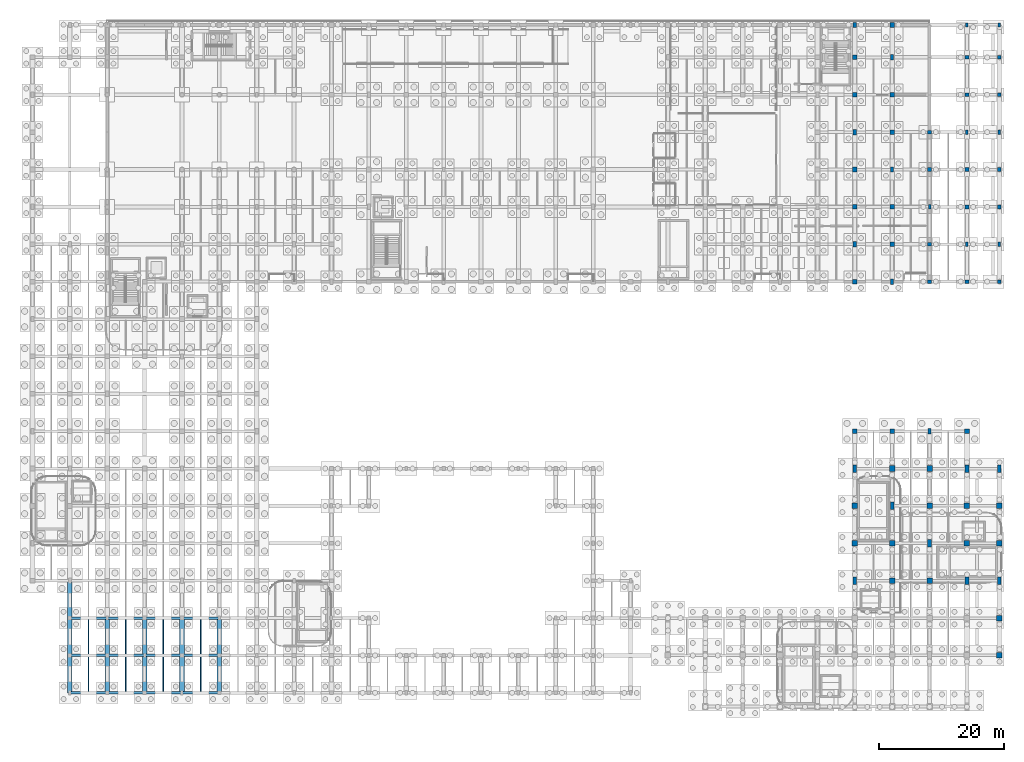
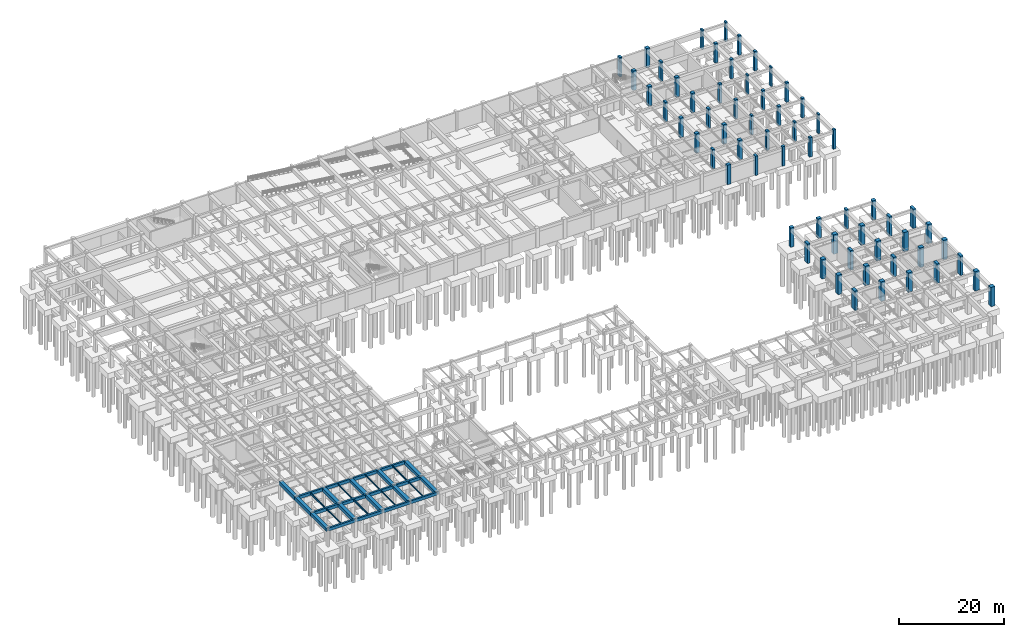
# One storey, part 12 of 32: 63 columns, 31 beams.
"""IFC4 building model written with IfcOpenShell, lengths in metres."""

from ifc_helpers import new_model, si_unit, direction, frame, origin, origin_2d, place, context, subcontext, project, spatial, rectangle, i_section, extrude, material, material_profile, profile_set, type_object, element, save


model = new_model("IFC4")

# Units and contexts
model_context = context("Model", 3, precision=1e-05, world=origin(), true_north=direction((0.0, 1.0)))
body_context = subcontext(model_context, "Body", "Model", "MODEL_VIEW")
ifc_project = project(units=[si_unit("LENGTHUNIT", "METRE"), si_unit("AREAUNIT", "SQUARE_METRE"), si_unit("VOLUMEUNIT", "CUBIC_METRE"), si_unit("PLANEANGLEUNIT", "RADIAN"), si_unit("MASSUNIT", "GRAM", prefix="KILO")], contexts=[model_context])

# Site, building, storey
site_placement = place(None, origin())
site = spatial("IfcSite", under=ifc_project, at=site_placement, CompositionType="ELEMENT")
building_placement = place(site_placement, origin())
building = spatial("IfcBuilding", under=site, at=building_placement, Name="Varnakota Square Police Headquarters", CompositionType="ELEMENT")
storey_placement = place(building_placement, frame((0.0, 0.0, -4.5)))
storey = spatial("IfcBuildingStorey", under=building, at=storey_placement, Name="B1", CompositionType="ELEMENT", Elevation=-4.5)

# Columns
ifc_material_1 = material(Name="Concrete M40", Category="concrete")
ifc_material_profile_1 = material_profile(ifc_material_1, rectangle(XDim=0.39990234375, YDim=0.699951171875, at=origin_2d()), Name="RC 400x700")
ifc_profile_set_1 = profile_set([ifc_material_profile_1], Name="Concrete M40")
column_type_1 = type_object("IfcColumnType", Name="COL-RC400x700", PredefinedType="COLUMN", material=ifc_profile_set_1)
for number, where, z_axis, x_axis, name in (
    (1, (150.0, 81.0, 0.0), (0.0, 0.0, 1.0), (1.0, 0.0, 0.0), "Column X1500-Y0810 B1"),
    (2, (156.0, 75.0, 0.0), (0.0, 0.0, 1.0), (1.0, 0.0, 0.0), "Column X1560-Y0750 B1"),
    (3, (156.0, 93.0, 0.0), (0.0, 0.0, 1.0), (1.0, 0.0, 0.0), "Column X1560-Y0930 B1"),
    (4, (156.0, 110.199951171875, 0.0), (0.0, 0.0, 1.0), (1.0, 0.0, 0.0), "Column X1560-Y1102 B1"),
    (5, (161.199951171875, 75.0, 0.0), (0.0, 0.0, 1.0), (1.0, 0.0, 0.0), "Column X1612-Y0750 B1"),
    (6, (161.199951171875, 93.0, 0.0), (0.0, 0.0, 1.0), (1.0, 0.0, 0.0), "Column X1612-Y0930 B1"),
    (7, (161.199951171875, 110.199951171875, 0.0), (0.0, 0.0, 1.0), (1.0, 0.0, 0.0), "Column X1612-Y1102 B1"),
):
    element("IfcColumn", number, at=place(storey_placement, frame(where, z_axis=z_axis, x_axis=x_axis)), inside=storey, type_object=column_type_1, Name=name, PredefinedType="COLUMN", context=body_context, shape_type="SweptSolid", body=[
        extrude(rectangle(XDim=0.39990234375, YDim=0.699951171875, at=origin_2d()), origin(), (0.0, 0.0, 1.0), 4.5),
    ])
ifc_material_2 = material(Name="Concrete M50", Category="concrete")
ifc_material_profile_2 = material_profile(ifc_material_2, rectangle(XDim=0.5, YDim=0.85009765625, at=origin_2d()), Name="RC 500x850")
ifc_profile_set_2 = profile_set([ifc_material_profile_2], Name="Concrete M50")
column_type_2 = type_object("IfcColumnType", Name="COL-RC500x850", PredefinedType="COLUMN", material=ifc_profile_set_2)
for number, where, z_axis, x_axis, name in (
    (8, (138.0, 75.0, 0.0), (0.0, 0.0, 1.0), (1.0, 0.0, 0.0), "Column X1380-Y0750 B1"),
    (9, (138.0, 93.0, 0.0), (0.0, 0.0, 1.0), (1.0, 0.0, 0.0), "Column X1380-Y0930 B1"),
    (10, (138.0, 110.199951171875, 0.0), (0.0, 0.0, 1.0), (1.0, 0.0, 0.0), "Column X1380-Y1102 B1"),
    (11, (144.0, 69.0, 0.0), (0.0, 0.0, 1.0), (1.0, 0.0, 0.0), "Column X1440-Y0690 B1"),
    (12, (144.0, 87.0, 0.0), (0.0, 0.0, 1.0), (1.0, 0.0, 0.0), "Column X1440-Y0870 B1"),
    (13, (144.0, 105.0, 0.0), (0.0, 0.0, 1.0), (1.0, 0.0, 0.0), "Column X1440-Y1050 B1"),
    (14, (150.0, 45.0, 0.0), (0.0, 0.0, 1.0), (1.0, 0.0, 0.0), "Column X1500-Y0450 B1"),
):
    element("IfcColumn", number, at=place(storey_placement, frame(where, z_axis=z_axis, x_axis=x_axis)), inside=storey, type_object=column_type_2, Name=name, PredefinedType="COLUMN", context=body_context, shape_type="SweptSolid", body=[
        extrude(rectangle(XDim=0.5, YDim=0.85009765625, at=origin_2d()), origin(), (0.0, 0.0, 1.0), 4.5),
    ])
ifc_material_profile_3 = material_profile(ifc_material_1, rectangle(XDim=0.60009765625, YDim=0.60009765625, at=origin_2d()), Name="RC 600x600")
ifc_profile_set_3 = profile_set([ifc_material_profile_3], Name="Concrete M40")
column_type_3 = type_object("IfcColumnType", Name="COL-RC600", PredefinedType="COLUMN", material=ifc_profile_set_3)
for number, where, z_axis, x_axis, name in (
    (15, (150.0, 69.0, 0.0), (0.0, 0.0, 1.0), (1.0, 0.0, 0.0), "Column X1500-Y0690 B1"),
    (16, (150.0, 75.0, 0.0), (0.0, 0.0, 1.0), (1.0, 0.0, 0.0), "Column X1500-Y0750 B1"),
    (17, (150.0, 87.0, 0.0), (0.0, 0.0, 1.0), (1.0, 0.0, 0.0), "Column X1500-Y0870 B1"),
    (18, (150.0, 93.0, 0.0), (0.0, 0.0, 1.0), (1.0, 0.0, 0.0), "Column X1500-Y0930 B1"),
    (19, (156.0, 69.0, 0.0), (0.0, 0.0, 1.0), (1.0, 0.0, 0.0), "Column X1560-Y0690 B1"),
    (20, (156.0, 81.0, 0.0), (0.0, 0.0, 1.0), (1.0, 0.0, 0.0), "Column X1560-Y0810 B1"),
    (21, (156.0, 87.0, 0.0), (0.0, 0.0, 1.0), (1.0, 0.0, 0.0), "Column X1560-Y0870 B1"),
    (22, (156.0, 99.0, 0.0), (0.0, 0.0, 1.0), (1.0, 0.0, 0.0), "Column X1560-Y0990 B1"),
    (23, (156.0, 105.0, 0.0), (0.0, 0.0, 1.0), (1.0, 0.0, 0.0), "Column X1560-Y1050 B1"),
    (24, (161.199951171875, 69.0, 0.0), (0.0, 0.0, 1.0), (1.0, 0.0, 0.0), "Column X1612-Y0690 B1"),
    (25, (161.199951171875, 81.0, 0.0), (0.0, 0.0, 1.0), (1.0, 0.0, 0.0), "Column X1612-Y0810 B1"),
    (26, (161.199951171875, 87.0, 0.0), (0.0, 0.0, 1.0), (1.0, 0.0, 0.0), "Column X1612-Y0870 B1"),
    (27, (161.199951171875, 99.0, 0.0), (0.0, 0.0, 1.0), (1.0, 0.0, 0.0), "Column X1612-Y0990 B1"),
    (28, (161.199951171875, 105.0, 0.0), (0.0, 0.0, 1.0), (1.0, 0.0, 0.0), "Column X1612-Y1050 B1"),
):
    element("IfcColumn", number, at=place(storey_placement, frame(where, z_axis=z_axis, x_axis=x_axis)), inside=storey, type_object=column_type_3, Name=name, PredefinedType="COLUMN", context=body_context, shape_type="SweptSolid", body=[
        extrude(rectangle(XDim=0.60009765625, YDim=0.60009765625, at=origin_2d()), origin(), (0.0, 0.0, 1.0), 4.5),
    ])
ifc_material_profile_4 = material_profile(ifc_material_2, rectangle(XDim=0.60009765625, YDim=1.199951171875, at=origin_2d()), Name="RC 600x1200")
ifc_profile_set_4 = profile_set([ifc_material_profile_4], Name="Concrete M50")
column_type_4 = type_object("IfcColumnType", Name="COL-RC600x1200", PredefinedType="COLUMN", material=ifc_profile_set_4)
for number, where, z_axis, x_axis, name in (
    (29, (138.0, 21.0, 0.0), (0.0, 0.0, 1.0), (1.0, 0.0, 0.0), "Column X1380-Y0210 B1"),
    (30, (138.0, 39.0, 0.0), (0.0, 0.0, 1.0), (1.0, 0.0, 0.0), "Column X1380-Y0390 B1"),
    (31, (144.0, 33.0, 0.0), (0.0, 0.0, 1.0), (1.0, 0.0, 0.0), "Column X1440-Y0330 B1"),
    (32, (150.0, 27.0, 0.0), (0.0, 0.0, 1.0), (1.0, 0.0, 0.0), "Column X1500-Y0270 B1"),
    (33, (156.0, 21.0, 0.0), (0.0, 0.0, 1.0), (1.0, 0.0, 0.0), "Column X1560-Y0210 B1"),
    (34, (156.0, 39.0, 0.0), (0.0, 0.0, 1.0), (1.0, 0.0, 0.0), "Column X1560-Y0390 B1"),
    (35, (161.199951171875, 21.0, 0.0), (0.0, 0.0, 1.0), (1.0, 0.0, 0.0), "Column X1612-Y0210 B1"),
    (36, (161.199951171875, 39.0, 0.0), (0.0, 0.0, 1.0), (1.0, 0.0, 0.0), "Column X1612-Y0390 B1"),
):
    element("IfcColumn", number, at=place(storey_placement, frame(where, z_axis=z_axis, x_axis=x_axis)), inside=storey, type_object=column_type_4, Name=name, PredefinedType="COLUMN", context=body_context, shape_type="SweptSolid", body=[
        extrude(rectangle(XDim=0.60009765625, YDim=1.199951171875, at=origin_2d()), origin(), (0.0, 0.0, 1.0), 4.5),
    ])
ifc_material_profile_5 = material_profile(ifc_material_2, rectangle(XDim=0.75, YDim=0.75, at=origin_2d()), Name="RC 750x750")
ifc_profile_set_5 = profile_set([ifc_material_profile_5], Name="Concrete M50")
column_type_5 = type_object("IfcColumnType", Name="COL-RC750", PredefinedType="COLUMN", material=ifc_profile_set_5)
for number, where, z_axis, x_axis, name in (
    (37, (138.0, 45.0, 0.0), (0.0, 0.0, 1.0), (1.0, 0.0, 0.0), "Column X1380-Y0450 B1"),
    (38, (138.0, 69.0, 0.0), (0.0, 0.0, 1.0), (1.0, 0.0, 0.0), "Column X1380-Y0690 B1"),
    (39, (138.0, 81.0, 0.0), (0.0, 0.0, 1.0), (1.0, 0.0, 0.0), "Column X1380-Y0810 B1"),
    (40, (138.0, 87.0, 0.0), (0.0, 0.0, 1.0), (1.0, 0.0, 0.0), "Column X1380-Y0870 B1"),
    (41, (138.0, 99.0, 0.0), (0.0, 0.0, 1.0), (1.0, 0.0, 0.0), "Column X1380-Y0990 B1"),
    (42, (138.0, 105.0, 0.0), (0.0, 0.0, 1.0), (1.0, 0.0, 0.0), "Column X1380-Y1050 B1"),
    (43, (144.0, 45.0, 0.0), (0.0, 0.0, 1.0), (1.0, 0.0, 0.0), "Column X1440-Y0450 B1"),
    (44, (144.0, 75.0, 0.0), (0.0, 0.0, 1.0), (1.0, 0.0, 0.0), "Column X1440-Y0750 B1"),
    (45, (144.0, 81.0, 0.0), (0.0, 0.0, 1.0), (1.0, 0.0, 0.0), "Column X1440-Y0810 B1"),
    (46, (144.0, 93.0, 0.0), (0.0, 0.0, 1.0), (1.0, 0.0, 0.0), "Column X1440-Y0930 B1"),
    (47, (144.0, 99.0, 0.0), (0.0, 0.0, 1.0), (1.0, 0.0, 0.0), "Column X1440-Y0990 B1"),
    (48, (144.0, 110.199951171875, 0.0), (0.0, 0.0, 1.0), (1.0, 0.0, 0.0), "Column X1440-Y1102 B1"),
    (49, (156.0, 45.0, 0.0), (0.0, 0.0, 1.0), (1.0, 0.0, 0.0), "Column X1560-Y0450 B1"),
):
    element("IfcColumn", number, at=place(storey_placement, frame(where, z_axis=z_axis, x_axis=x_axis)), inside=storey, type_object=column_type_5, Name=name, PredefinedType="COLUMN", context=body_context, shape_type="SweptSolid", body=[
        extrude(rectangle(XDim=0.75, YDim=0.75, at=origin_2d()), origin(), (0.0, 0.0, 1.0), 4.5),
    ])
ifc_material_profile_6 = material_profile(ifc_material_2, rectangle(XDim=0.89990234375, YDim=0.89990234375, at=origin_2d()), Name="RC 900x900")
ifc_profile_set_6 = profile_set([ifc_material_profile_6], Name="Concrete M50")
column_type_6 = type_object("IfcColumnType", Name="COL-RC900", PredefinedType="COLUMN", material=ifc_profile_set_6)
for number, where, z_axis, x_axis, name in (
    (50, (138.0, 27.0, 0.0), (0.0, 0.0, 1.0), (1.0, 0.0, 0.0), "Column X1380-Y0270 B1"),
    (51, (138.0, 33.0, 0.0), (0.0, 0.0, 1.0), (1.0, 0.0, 0.0), "Column X1380-Y0330 B1"),
    (52, (144.0, 21.0, 0.0), (0.0, 0.0, 1.0), (1.0, 0.0, 0.0), "Column X1440-Y0210 B1"),
    (53, (144.0, 27.0, 0.0), (0.0, 0.0, 1.0), (1.0, 0.0, 0.0), "Column X1440-Y0270 B1"),
    (54, (144.0, 39.0, 0.0), (0.0, 0.0, 1.0), (1.0, 0.0, 0.0), "Column X1440-Y0390 B1"),
    (55, (150.0, 21.0, 0.0), (0.0, 0.0, 1.0), (1.0, 0.0, 0.0), "Column X1500-Y0210 B1"),
    (56, (150.0, 33.0, 0.0), (0.0, 0.0, 1.0), (1.0, 0.0, 0.0), "Column X1500-Y0330 B1"),
    (57, (150.0, 39.0, 0.0), (0.0, 0.0, 1.0), (1.0, 0.0, 0.0), "Column X1500-Y0390 B1"),
    (58, (156.0, 27.0, 0.0), (0.0, 0.0, 1.0), (1.0, 0.0, 0.0), "Column X1560-Y0270 B1"),
    (59, (156.0, 33.0, 0.0), (0.0, 0.0, 1.0), (1.0, 0.0, 0.0), "Column X1560-Y0330 B1"),
    (60, (161.199951171875, 9.0, 0.0), (0.0, 0.0, 1.0), (1.0, 0.0, 0.0), "Column X1612-Y0090 B1"),
    (61, (161.199951171875, 15.0, 0.0), (0.0, 0.0, 1.0), (1.0, 0.0, 0.0), "Column X1612-Y0150 B1"),
    (62, (161.199951171875, 27.0, 0.0), (0.0, 0.0, 1.0), (1.0, 0.0, 0.0), "Column X1612-Y0270 B1"),
    (63, (161.199951171875, 33.0, 0.0), (0.0, 0.0, 1.0), (1.0, 0.0, 0.0), "Column X1612-Y0330 B1"),
):
    element("IfcColumn", number, at=place(storey_placement, frame(where, z_axis=z_axis, x_axis=x_axis)), inside=storey, type_object=column_type_6, Name=name, PredefinedType="COLUMN", context=body_context, shape_type="SweptSolid", body=[
        extrude(rectangle(XDim=0.89990234375, YDim=0.89990234375, at=origin_2d()), origin(), (0.0, 0.0, 1.0), 4.5),
    ])

# Beams
ifc_material_3 = material(Name="Steel IS 2062 Grade 350", Category="steel")
ifc_material_profile_7 = material_profile(ifc_material_3, i_section(OverallWidth=0.139892578125, OverallDepth=0.300048828125, WebThickness=0.0078125, FlangeThickness=0.01318359375, FilletRadius=0.013916015625, at=origin_2d()), Name="ISMB 300")
ifc_profile_set_7 = profile_set([ifc_material_profile_7], Name="Steel IS 2062 Grade 350")
beam_type_1 = type_object("IfcBeamType", Name="BM-ISMB300", PredefinedType="JOIST", material=ifc_profile_set_7)
for number, where, z_axis, x_axis, name in (
    (64, (15.0, 3.197998046875, 4.050048828125), (0.0, 1.0, 0.0), (-1.0, 0.0, 0.0), "BMG-B1-0557"),
    (65, (27.0, 9.197998046875, 4.050048828125), (0.0, 1.0, 0.0), (-1.0, 0.0, 0.0), "BMG-B1-0576"),
    (66, (33.0, 3.197998046875, 4.050048828125), (0.0, 1.0, 0.0), (-1.0, 0.0, 0.0), "BMG-B1-0583"),
):
    element("IfcBeam", number, at=place(storey_placement, frame(where, z_axis=z_axis, x_axis=x_axis)), inside=storey, type_object=beam_type_1, Name=name, PredefinedType="JOIST", context=body_context, shape_type="SweptSolid", body=[
        extrude(i_section(OverallWidth=0.139892578125, OverallDepth=0.300048828125, WebThickness=0.0078125, FlangeThickness=0.01318359375, FilletRadius=0.013916015625, at=origin_2d()), origin(), (0.0, 0.0, 1.0), 5.60400390625),
    ])
ifc_material_profile_8 = material_profile(ifc_material_3, i_section(OverallWidth=0.139892578125, OverallDepth=0.35009765625, WebThickness=0.008056640625, FlangeThickness=0.01416015625, FilletRadius=0.013916015625, at=origin_2d()), Name="ISMB 350")
ifc_profile_set_8 = profile_set([ifc_material_profile_8], Name="Steel IS 2062 Grade 350")
beam_type_2 = type_object("IfcBeamType", Name="BM-ISMB350", PredefinedType="JOIST", material=ifc_profile_set_8)
for number, where, z_axis, x_axis, name in (
    (67, (21.0, 9.197998046875, 4.02490234375), (0.0, 1.0, 0.0), (-1.0, 0.0, 0.0), "BMG-B1-0569"),
    (68, (27.0, 3.197998046875, 4.02490234375), (0.0, 1.0, 0.0), (-1.0, 0.0, 0.0), "BMG-B1-0575"),
):
    element("IfcBeam", number, at=place(storey_placement, frame(where, z_axis=z_axis, x_axis=x_axis)), inside=storey, type_object=beam_type_2, Name=name, PredefinedType="JOIST", context=body_context, shape_type="SweptSolid", body=[
        extrude(i_section(OverallWidth=0.139892578125, OverallDepth=0.35009765625, WebThickness=0.008056640625, FlangeThickness=0.01416015625, FilletRadius=0.013916015625, at=origin_2d()), origin(), (0.0, 0.0, 1.0), 5.60400390625),
    ])
ifc_material_profile_9 = material_profile(ifc_material_3, i_section(OverallWidth=0.139892578125, OverallDepth=0.39990234375, WebThickness=0.0087890625, FlangeThickness=0.01611328125, FilletRadius=0.013916015625, at=origin_2d()), Name="ISMB 400")
ifc_profile_set_9 = profile_set([ifc_material_profile_9], Name="Steel IS 2062 Grade 350")
beam_type_3 = type_object("IfcBeamType", Name="BM-ISMB400", PredefinedType="JOIST", material=ifc_profile_set_9)
for number, where, z_axis, x_axis, name in (
    (69, (15.0, 9.197998046875, 4.0), (0.0, 1.0, 0.0), (-1.0, 0.0, 0.0), "BMG-B1-0558"),
    (70, (21.0, 3.197998046875, 4.0), (0.0, 1.0, 0.0), (-1.0, 0.0, 0.0), "BMG-B1-0568"),
    (71, (33.0, 9.197998046875, 4.0), (0.0, 1.0, 0.0), (-1.0, 0.0, 0.0), "BMG-B1-0584"),
):
    element("IfcBeam", number, at=place(storey_placement, frame(where, z_axis=z_axis, x_axis=x_axis)), inside=storey, type_object=beam_type_3, Name=name, PredefinedType="JOIST", context=body_context, shape_type="SweptSolid", body=[
        extrude(i_section(OverallWidth=0.139892578125, OverallDepth=0.39990234375, WebThickness=0.0087890625, FlangeThickness=0.01611328125, FilletRadius=0.013916015625, at=origin_2d()), origin(), (0.0, 0.0, 1.0), 5.60400390625),
    ])
ifc_material_profile_10 = material_profile(ifc_material_1, rectangle(XDim=0.39990234375, YDim=0.699951171875, at=origin_2d()), Name="RC 400x700")
ifc_profile_set_10 = profile_set([ifc_material_profile_10], Name="Concrete M40")
beam_type_4 = type_object("IfcBeamType", Name="BM-RC400x700", PredefinedType="BEAM", material=ifc_profile_set_10)
for number, where, z_axis, x_axis, name in (
    (72, (12.0, 3.0, 3.85009765625), (1.0, 0.0, 0.0), (0.0, 1.0, 0.0), "BMG-B1-0008"),
    (73, (18.0, 3.0, 3.85009765625), (1.0, 0.0, 0.0), (0.0, 1.0, 0.0), "BMG-B1-0009"),
    (74, (24.0, 3.0, 3.85009765625), (1.0, 0.0, 0.0), (0.0, 1.0, 0.0), "BMG-B1-0010"),
    (75, (30.0, 3.0, 3.85009765625), (1.0, 0.0, 0.0), (0.0, 1.0, 0.0), "BMG-B1-0011"),
    (76, (12.0, 9.0, 3.85009765625), (1.0, 0.0, 0.0), (0.0, 1.0, 0.0), "BMG-B1-0023"),
    (77, (18.0, 9.0, 3.85009765625), (1.0, 0.0, 0.0), (0.0, 1.0, 0.0), "BMG-B1-0024"),
    (78, (24.0, 9.0, 3.85009765625), (1.0, 0.0, 0.0), (0.0, 1.0, 0.0), "BMG-B1-0025"),
    (79, (30.0, 9.0, 3.85009765625), (1.0, 0.0, 0.0), (0.0, 1.0, 0.0), "BMG-B1-0026"),
    (80, (12.0, 15.0, 3.85009765625), (1.0, 0.0, 0.0), (0.0, 1.0, 0.0), "BMG-B1-0045"),
    (81, (18.0, 15.0, 3.85009765625), (1.0, 0.0, 0.0), (0.0, 1.0, 0.0), "BMG-B1-0046"),
    (82, (24.0, 15.0, 3.85009765625), (1.0, 0.0, 0.0), (0.0, 1.0, 0.0), "BMG-B1-0047"),
    (83, (30.0, 15.0, 3.85009765625), (1.0, 0.0, 0.0), (0.0, 1.0, 0.0), "BMG-B1-0048"),
):
    element("IfcBeam", number, at=place(storey_placement, frame(where, z_axis=z_axis, x_axis=x_axis)), inside=storey, type_object=beam_type_4, Name=name, PredefinedType="BEAM", context=body_context, shape_type="SweptSolid", body=[
        extrude(rectangle(XDim=0.39990234375, YDim=0.699951171875, at=origin_2d()), origin(), (0.0, 0.0, 1.0), 6.0),
    ])
ifc_material_profile_11 = material_profile(ifc_material_2, rectangle(XDim=0.75, YDim=0.75, at=origin_2d()), Name="RC 750x750")
ifc_profile_set_11 = profile_set([ifc_material_profile_11], Name="Concrete M50")
beam_type_5 = type_object("IfcBeamType", Name="BM-RC750x750", PredefinedType="BEAM", material=ifc_profile_set_11)
for number, where, z_axis, x_axis, name in (
    (84, (12.0, 3.0, 3.824951171875), (0.0, 1.0, 0.0), (-1.0, 0.0, 0.0), "BMG-B1-0297"),
    (85, (12.0, 9.0, 3.824951171875), (0.0, 1.0, 0.0), (-1.0, 0.0, 0.0), "BMG-B1-0298"),
    (86, (12.0, 15.0, 3.824951171875), (0.0, 1.0, 0.0), (-1.0, 0.0, 0.0), "BMG-B1-0299"),
    (87, (18.0, 3.0, 3.824951171875), (0.0, 1.0, 0.0), (-1.0, 0.0, 0.0), "BMG-B1-0311"),
    (88, (18.0, 9.0, 3.824951171875), (0.0, 1.0, 0.0), (-1.0, 0.0, 0.0), "BMG-B1-0312"),
    (89, (24.0, 3.0, 3.824951171875), (0.0, 1.0, 0.0), (-1.0, 0.0, 0.0), "BMG-B1-0328"),
    (90, (24.0, 9.0, 3.824951171875), (0.0, 1.0, 0.0), (-1.0, 0.0, 0.0), "BMG-B1-0329"),
    (91, (30.0, 3.0, 3.824951171875), (0.0, 1.0, 0.0), (-1.0, 0.0, 0.0), "BMG-B1-0336"),
    (92, (30.0, 9.0, 3.824951171875), (0.0, 1.0, 0.0), (-1.0, 0.0, 0.0), "BMG-B1-0337"),
    (93, (36.0, 3.0, 3.824951171875), (0.0, 1.0, 0.0), (-1.0, 0.0, 0.0), "BMG-B1-0353"),
    (94, (36.0, 9.0, 3.824951171875), (0.0, 1.0, 0.0), (-1.0, 0.0, 0.0), "BMG-B1-0354"),
):
    element("IfcBeam", number, at=place(storey_placement, frame(where, z_axis=z_axis, x_axis=x_axis)), inside=storey, type_object=beam_type_5, Name=name, PredefinedType="BEAM", context=body_context, shape_type="SweptSolid", body=[
        extrude(rectangle(XDim=0.75, YDim=0.75, at=origin_2d()), origin(), (0.0, 0.0, 1.0), 6.0),
    ])

save(model, "model.ifc")
